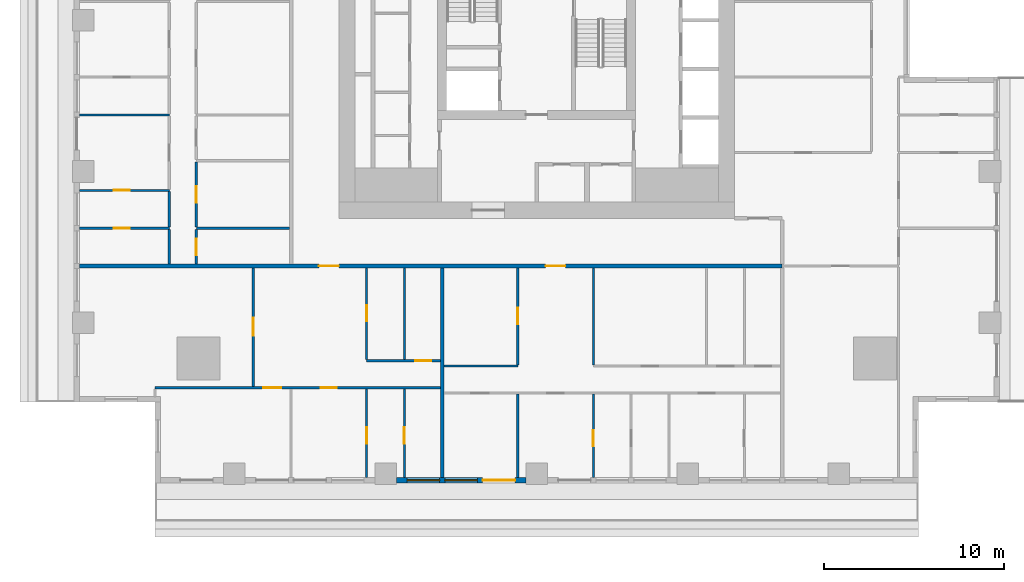
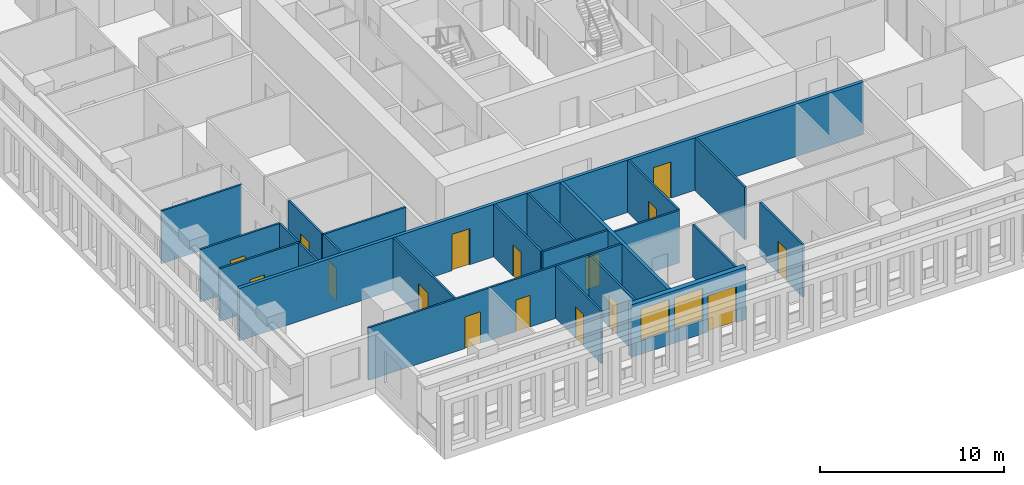
# One storey, part 2 of 16: 23 walls, 16 doors, 2 windows, 18 openings.
"""IFC4 building model written with IfcOpenShell, lengths in metres."""

import ifcopenshell
import ifcopenshell.guid

model = None  # the IFC model being written
_history = None  # IfcOwnerHistory: only IFC2X3 demands one
_inside = {}  # id of a spatial element -> (the spatial element, [elements in it])
_under = {}  # id of a project, library or spatial element -> (it, [spatial elements below it])
_declared = {}  # id of a project -> (the project, [libraries it declares])
_typed = {}  # id of a type object -> (the type object, [elements of that type])
_made_of = {}  # id of a material, layer set ... -> (it, [elements and type objects made of it])


def new_model(schema):
    """Start an empty IFC model of exactly this schema.

    Asked for "IFC4X3", IfcOpenShell would pick the latest addendum, in which some entities
    have other attributes; the version numbers below select the first issue.
    IFC2X3 requires an IfcOwnerHistory on every rooted entity: one is made here for all.
    """
    global model, _history
    if schema == "IFC4X3":
        model = ifcopenshell.file(schema_version=(4, 3, 0, 0))
    else:
        model = ifcopenshell.file(schema=schema)
    _inside.clear()
    _under.clear()
    _declared.clear()
    _typed.clear()
    _made_of.clear()
    _history = None
    if model.schema == "IFC2X3":
        org = make("IfcOrganization", Name="unknown")
        user = make(
            "IfcPersonAndOrganization",
            ThePerson=make("IfcPerson", FamilyName="unknown"),
            TheOrganization=org,
        )
        app = make(
            "IfcApplication",
            ApplicationDeveloper=org,
            Version="unknown",
            ApplicationFullName="unknown",
            ApplicationIdentifier="unknown",
        )
        _history = make(
            "IfcOwnerHistory",
            OwningUser=user,
            OwningApplication=app,
            ChangeAction="ADDED",
            CreationDate=0,
        )
    return model


def make(cls, **values):
    """One entity of the class cls with the attributes given. An attribute that is None is left unset."""
    return model.create_entity(
        cls, **{name: value for name, value in values.items() if value is not None}
    )


def rooted(cls, **values):
    """An entity with a GlobalId (a new one), such as an element, a storey or a relation."""
    return make(cls, GlobalId=ifcopenshell.guid.new(), OwnerHistory=_history, **values)


def si_unit(unit_type, name, prefix=None):
    """IfcSIUnit, for example si_unit("LENGTHUNIT", "METRE", prefix="MILLI")."""
    return make("IfcSIUnit", UnitType=unit_type, Prefix=prefix, Name=name)


def assignment(units):
    """IfcUnitAssignment: the units of a project."""
    return None if units is None else make("IfcUnitAssignment", Units=units)


def point(xyz):
    """IfcCartesianPoint."""
    return None if xyz is None else make("IfcCartesianPoint", Coordinates=xyz)


def direction(xyz):
    """IfcDirection."""
    return None if xyz is None else make("IfcDirection", DirectionRatios=xyz)


def frame(location, z_axis=None, x_axis=None):
    """IfcAxis2Placement3D, a coordinate frame: its origin and axes. An axis left out is left unset."""
    return make(
        "IfcAxis2Placement3D",
        Location=point(location),
        Axis=direction(z_axis),
        RefDirection=direction(x_axis),
    )


def frame_2d(location, x_axis=None):
    """IfcAxis2Placement2D, a coordinate frame in the plane: its origin and x axis."""
    return make(
        "IfcAxis2Placement2D", Location=point(location), RefDirection=direction(x_axis)
    )


def origin():
    """The frame at (0, 0, 0) with its axes left unset."""
    return frame((0.0, 0.0, 0.0))


def place(relative_to, where):
    """IfcLocalPlacement: puts the frame where relative to a parent placement (None: the world)."""
    return make(
        "IfcLocalPlacement", PlacementRelTo=relative_to, RelativePlacement=where
    )


def context(
    kind, dimensions, precision=None, world=None, true_north=None, identifier=None
):
    """IfcGeometricRepresentationContext, for example the 3D "Model" context."""
    return make(
        "IfcGeometricRepresentationContext",
        ContextIdentifier=identifier,
        ContextType=kind,
        CoordinateSpaceDimension=dimensions,
        Precision=precision,
        WorldCoordinateSystem=world,
        TrueNorth=true_north,
    )


def subcontext(parent, identifier, kind, view, scale=None):
    """IfcGeometricRepresentationSubContext, for example "Body" below "Model"."""
    return make(
        "IfcGeometricRepresentationSubContext",
        ContextIdentifier=identifier,
        ContextType=kind,
        ParentContext=parent,
        TargetScale=scale,
        TargetView=view,
    )


def project(units=None, contexts=None):
    """IfcProject with its units and contexts."""
    return rooted(
        "IfcProject",
        Name="project",
        RepresentationContexts=contexts,
        UnitsInContext=assignment(units),
    )


def spatial(cls, under=None, at=None, **own):
    """A site, building, storey or space (cls), placed at a placement, below another one or the project."""
    s = rooted(cls, ObjectPlacement=at, **own)
    if under is not None:
        _under.setdefault(under.id(), (under, []))[1].append(s)
    return s


def profile(cls, at=None, kind="AREA", **sizes):
    """A parametric profile (cls). Its sizes go by their IFC names, for example OverallWidth=200.0."""
    return make(cls, ProfileType=kind, Position=at, **sizes)


def rectangle(**sizes):
    """IfcRectangleProfileDef."""
    return profile("IfcRectangleProfileDef", **sizes)


def extrude(swept, where, along, depth):
    """IfcExtrudedAreaSolid: the profile swept, set in the frame where, extruded along a direction by depth."""
    return make(
        "IfcExtrudedAreaSolid",
        SweptArea=swept,
        Position=where,
        ExtrudedDirection=direction(along),
        Depth=depth,
    )


def shape(context_of_items, identifier, shape_type, items):
    """IfcShapeRepresentation: the items that make up one representation, for example the "Body"."""
    return make(
        "IfcShapeRepresentation",
        ContextOfItems=context_of_items,
        RepresentationIdentifier=identifier,
        RepresentationType=shape_type,
        Items=items,
    )


def material(Name=None, Category=None):
    """IfcMaterial."""
    return make("IfcMaterial", Name=Name, Category=Category)


def layer(
    of_material, thickness, ventilated=None, Name=None, Category=None, Priority=None
):
    """IfcMaterialLayer: one layer of a wall or slab, of a material (None: an air gap)."""
    return make(
        "IfcMaterialLayer",
        Material=of_material,
        LayerThickness=thickness,
        IsVentilated=ventilated,
        Name=Name,
        Category=Category,
        Priority=Priority,
    )


def layer_set(layers, Name=None):
    """IfcMaterialLayerSet."""
    return make("IfcMaterialLayerSet", MaterialLayers=layers, LayerSetName=Name)


def made_of(thing, what):
    """Note that an element or type object is made of a material, layer set ...; save() writes the relation."""
    if what is not None:
        _made_of.setdefault(what.id(), (what, []))[1].append(thing)
    return thing


def type_object(cls, material=None, **own):
    """A type object (cls), such as IfcWallType, which elements share."""
    return made_of(rooted(cls, **own), material)


def element(
    cls,
    number,
    at=None,
    inside=None,
    cuts=None,
    type_object=None,
    material=None,
    context=None,
    identifier="Body",
    shape_type=None,
    held_by="IfcProductDefinitionShape",
    body=None,
    shapes=None,
    **own,
):
    """One element of the class cls, such as IfcWall. Its Tag is "e" and its number.

    at: its placement. inside: the storey or other place that contains it. cuts: it is an
    opening in that element (IfcRelVoidsElement). A single representation is given by context,
    identifier, shape_type and body (its items); several are given by shapes. held_by: the class
    of the entity that holds the representations. save() writes the other relations.
    """
    e = rooted(cls, Tag="e%d" % number, ObjectPlacement=at, **own)
    if body is not None:
        shapes = [shape(context, identifier, shape_type, body)]
    if shapes is not None:
        e.Representation = make(held_by, Representations=shapes)
    if inside is not None:
        _inside.setdefault(inside.id(), (inside, []))[1].append(e)
    if cuts is not None:
        rooted(
            "IfcRelVoidsElement", RelatingBuildingElement=cuts, RelatedOpeningElement=e
        )
    if type_object is not None:
        _typed.setdefault(type_object.id(), (type_object, []))[1].append(e)
    return made_of(e, material)


def fill(opening, filler):
    """IfcRelFillsElement: the door or window that sits in an opening."""
    return rooted(
        "IfcRelFillsElement",
        RelatingOpeningElement=opening,
        RelatedBuildingElement=filler,
    )


def aggregate(whole, parts):
    """IfcRelAggregates: a whole, such as a stair, and the parts it consists of."""
    return rooted("IfcRelAggregates", RelatingObject=whole, RelatedObjects=parts)


def save(model, path):
    """Write the relations noted so far, then the file.

    IfcRelAggregates (storeys below a building ...), IfcRelContainedInSpatialStructure (elements
    in a storey), IfcRelDefinesByType, IfcRelAssociatesMaterial and IfcRelDeclares: one each for
    every whole, place, type object, material and project.
    """
    for whole, parts in _under.values():
        aggregate(whole, parts)
    for where, things in _inside.values():
        rooted(
            "IfcRelContainedInSpatialStructure",
            RelatedElements=things,
            RelatingStructure=where,
        )
    for kind, things in _typed.values():
        rooted("IfcRelDefinesByType", RelatedObjects=things, RelatingType=kind)
    for what, things in _made_of.values():
        rooted("IfcRelAssociatesMaterial", RelatedObjects=things, RelatingMaterial=what)
    for by, libraries in _declared.values():
        rooted("IfcRelDeclares", RelatingContext=by, RelatedDefinitions=libraries)
    model.write(path)


model = new_model("IFC4")

# Units and contexts
model_context = context("Model", 3, precision=1e-05, world=origin(), true_north=direction((0.0, 1.0)))
body_context = subcontext(model_context, "Body", "Model", "MODEL_VIEW")
ifc_project = project(units=[si_unit("LENGTHUNIT", "METRE"), si_unit("AREAUNIT", "SQUARE_METRE"), si_unit("VOLUMEUNIT", "CUBIC_METRE"), si_unit("PLANEANGLEUNIT", "RADIAN"), si_unit("MASSUNIT", "GRAM", prefix="KILO")], contexts=[model_context])

# Site, building, storey
site_placement = place(None, origin())
site = spatial("IfcSite", under=ifc_project, at=site_placement, CompositionType="ELEMENT")
building_placement = place(site_placement, origin())
building = spatial("IfcBuilding", under=site, at=building_placement, Name="Khepri Terraces", CompositionType="ELEMENT")
storey_placement = place(building_placement, frame((0.0, 0.0, 192.300048828125)))
storey = spatial("IfcBuildingStorey", under=building, at=storey_placement, Name="L45", CompositionType="ELEMENT", Elevation=192.300048828125)

# Wall
ifc_material_1 = material(Name="Fire-rated gypsum plasterboard partition, mineral wool")
ifc_layer_1 = layer(ifc_material_1, 0.199951171875, Name="Fire-rated gypsum plasterboard partition, mineral wool")
ifc_layer_set_1 = layer_set([ifc_layer_1], Name="Fire-rated gypsum plasterboard partition, mineral wool")
wall_type_1 = type_object("IfcWallType", Name="WL-CORR-200", PredefinedType="PARTITIONING", material=ifc_layer_set_1)
wall_1_placement = place(storey_placement, frame((-5.25, -25.419921875, 0.0), z_axis=(0.0, 0.0, 1.0), x_axis=(0.0, 1.0, 0.0)))
element("IfcWall", 1, at=wall_1_placement, inside=storey, type_object=wall_type_1, Name="Partition P-004 L45", PredefinedType="PARTITIONING", context=body_context, shape_type="SweptSolid", body=[
    extrude(rectangle(XDim=11.669921875, YDim=0.199951171875, at=frame_2d((5.8349609375, 0.0))), origin(), (0.0, 0.0, 1.0), 3.47998046875),
])

# Wall, openings, doors
wall_2_placement = place(storey_placement, frame((-25.419921875, -13.64990234375, 0.0), z_axis=(0.0, 0.0, 1.0), x_axis=(1.0, 0.0, 0.0)))
wall_2 = element("IfcWall", 2, at=wall_2_placement, inside=storey, type_object=wall_type_1, Name="Partition P-025 L45", PredefinedType="PARTITIONING", context=body_context, shape_type="SweptSolid", body=[
    extrude(rectangle(XDim=39.06982421875, YDim=0.199951171875, at=frame_2d((19.534912109375, 0.0))), origin(), (0.0, 0.0, 1.0), 3.47998046875),
])
opening_1_placement = place(wall_2_placement, frame((13.320068359375, 0.0, 0.0)))
opening_1 = element("IfcOpeningElement", 3, at=opening_1_placement, cuts=wall_2, Name="Opening D1", PredefinedType="OPENING", context=body_context, shape_type="SweptSolid", body=[
    extrude(rectangle(XDim=1.10009765625, YDim=2.39990234375, at=frame_2d((0.550048828125, 1.199951171875))), frame((0.0, 0.10986328125, 0.0), z_axis=(0.0, -1.0, 0.0), x_axis=(1.0, 0.0, 0.0)), (0.0, 0.0, 1.0), 0.219970703125),
])
opening_2_placement = place(wall_2_placement, frame((25.919921875, 0.0, 0.0)))
opening_2 = element("IfcOpeningElement", 4, at=opening_2_placement, cuts=wall_2, Name="Opening D1", PredefinedType="OPENING", context=body_context, shape_type="SweptSolid", body=[
    extrude(rectangle(XDim=1.10009765625, YDim=2.39990234375, at=frame_2d((0.550048828125, 1.199951171875))), frame((0.0, 0.10986328125, 0.0), z_axis=(0.0, -1.0, 0.0), x_axis=(1.0, 0.0, 0.0)), (0.0, 0.0, 1.0), 0.219970703125),
])
ifc_material_2 = material(Name="Solid-core timber door leaf, flat entrance door", Category="wood")
door_type_1 = type_object("IfcDoorType", Name="DR-ENT-1100", OperationType="NOTDEFINED", PredefinedType="DOOR", material=ifc_material_2)
door_1_placement = place(opening_1_placement, frame((1.10009765625, 0.0, 0.0), z_axis=(0.0, 0.0, 1.0), x_axis=(-1.0, 0.0, 0.0)))
door_1 = element("IfcDoor", 5, at=door_1_placement, inside=storey, type_object=door_type_1, Name="Flat A1 entrance door", OperationType="SINGLE_SWING_RIGHT", OverallHeight=2.39990234375, OverallWidth=1.10009765625, PredefinedType="DOOR", context=body_context, shape_type="SweptSolid", body=[
    extrude(rectangle(XDim=1.10009765625, YDim=2.39990234375, at=frame_2d((0.550048828125, 1.199951171875))), frame((0.0, 0.02490234375, 0.0), z_axis=(0.0, -1.0, 0.0), x_axis=(1.0, 0.0, 0.0)), (0.0, 0.0, 1.0), 0.050048828125),
])
fill(opening_1, door_1)
door_2_placement = place(opening_2_placement, frame((1.10009765625, 0.0, 0.0), z_axis=(0.0, 0.0, 1.0), x_axis=(-1.0, 0.0, 0.0)))
door_2 = element("IfcDoor", 6, at=door_2_placement, inside=storey, type_object=door_type_1, Name="Flat A2 entrance door", OperationType="SINGLE_SWING_LEFT", OverallHeight=2.39990234375, OverallWidth=1.10009765625, PredefinedType="DOOR", context=body_context, shape_type="SweptSolid", body=[
    extrude(rectangle(XDim=1.10009765625, YDim=2.39990234375, at=frame_2d((0.550048828125, 1.199951171875))), frame((0.0, 0.02490234375, 0.0), z_axis=(0.0, -1.0, 0.0), x_axis=(1.0, 0.0, 0.0)), (0.0, 0.0, 1.0), 0.050048828125),
])
fill(opening_2, door_2)

# Wall, openings, door, windows
ifc_material_3 = material(Name="Precast concrete C50/60 warm stone", Category="masonry")
ifc_layer_2 = layer(ifc_material_3, 0.300048828125, Name="Precast concrete C50/60 warm stone", Category="masonry")
ifc_layer_set_2 = layer_set([ifc_layer_2], Name="Precast concrete C50/60 warm stone")
wall_type_2 = type_object("IfcWallType", Name="WL-EXT-PRECAST-300", PredefinedType="STANDARD", material=ifc_layer_set_2)
wall_3_placement = place(storey_placement, frame((-7.800048828125, -25.570068359375, 0.0), z_axis=(0.0, 0.0, 1.0), x_axis=(1.0, 0.0, 0.0)))
wall_3 = element("IfcWall", 7, at=wall_3_placement, inside=storey, type_object=wall_type_2, Name="External wall L45 S", PredefinedType="STANDARD", context=body_context, shape_type="SweptSolid", body=[
    extrude(rectangle(XDim=7.199951171875, YDim=0.300048828125, at=frame_2d((3.60009765625, 0.0))), origin(), (0.0, 0.0, 1.0), 3.47998046875),
])
opening_3_placement = place(wall_3_placement, frame((0.60009765625, 0.0, 0.89990234375)))
opening_3 = element("IfcOpeningElement", 8, at=opening_3_placement, cuts=wall_3, Name="Opening W1", PredefinedType="OPENING", context=body_context, shape_type="SweptSolid", body=[
    extrude(rectangle(XDim=1.800048828125, YDim=2.10009765625, at=frame_2d((0.89990234375, 1.050048828125))), frame((0.0, 0.16015625, 0.0), z_axis=(0.0, -1.0, 0.0), x_axis=(1.0, 0.0, 0.0)), (0.0, 0.0, 1.0), 0.320068359375),
])
opening_4_placement = place(wall_3_placement, frame((2.699951171875, 0.0, 0.89990234375)))
opening_4 = element("IfcOpeningElement", 9, at=opening_4_placement, cuts=wall_3, Name="Opening W1", PredefinedType="OPENING", context=body_context, shape_type="SweptSolid", body=[
    extrude(rectangle(XDim=1.800048828125, YDim=2.10009765625, at=frame_2d((0.89990234375, 1.050048828125))), frame((0.0, 0.16015625, 0.0), z_axis=(0.0, -1.0, 0.0), x_axis=(1.0, 0.0, 0.0)), (0.0, 0.0, 1.0), 0.320068359375),
])
opening_5_placement = place(wall_3_placement, frame((4.800048828125, 0.0, 0.0)))
opening_5 = element("IfcOpeningElement", 10, at=opening_5_placement, cuts=wall_3, Name="Opening ED-L45-19", PredefinedType="OPENING", context=body_context, shape_type="SweptSolid", body=[
    extrude(rectangle(XDim=1.800048828125, YDim=2.39990234375, at=frame_2d((0.89990234375, 1.199951171875))), frame((0.0, 0.16015625, 0.0), z_axis=(0.0, -1.0, 0.0), x_axis=(1.0, 0.0, 0.0)), (0.0, 0.0, 1.0), 0.320068359375),
])
ifc_material_4 = material(Name="Anodised aluminium bronze glazed door", Category="aluminium")
door_type_2 = type_object("IfcDoorType", Name="DR-BAL-SLIDE-1800x2400", OperationType="NOTDEFINED", PredefinedType="DOOR", material=ifc_material_4)
door_3_placement = place(opening_5_placement, origin())
door_3 = element("IfcDoor", 11, at=door_3_placement, inside=storey, type_object=door_type_2, Name="Balcony door L45 S", OperationType="SLIDING_TO_RIGHT", OverallHeight=2.39990234375, OverallWidth=1.800048828125, PredefinedType="DOOR", context=body_context, shape_type="SweptSolid", body=[
    extrude(rectangle(XDim=1.800048828125, YDim=2.39990234375, at=frame_2d((0.89990234375, 1.199951171875))), frame((0.0, 0.02490234375, 0.0), z_axis=(0.0, -1.0, 0.0), x_axis=(1.0, 0.0, 0.0)), (0.0, 0.0, 1.0), 0.050048828125),
])
fill(opening_5, door_3)
ifc_material_5 = material(Name="Clear glass", Category="glass")
window_type = type_object("IfcWindowType", Name="WIN-RES-1800x2100", PartitioningType="SINGLE_PANEL", PredefinedType="WINDOW", material=ifc_material_5)
window_1_placement = place(opening_3_placement, origin())
window_1 = element("IfcWindow", 12, at=window_1_placement, inside=storey, type_object=window_type, Name="Window L45 S", OverallHeight=2.10009765625, OverallWidth=1.800048828125, PartitioningType="SINGLE_PANEL", PredefinedType="WINDOW", context=body_context, shape_type="SweptSolid", body=[
    extrude(rectangle(XDim=1.800048828125, YDim=2.10009765625, at=frame_2d((0.89990234375, 1.050048828125))), frame((0.0, 0.030029296875, 0.0), z_axis=(0.0, -1.0, 0.0), x_axis=(1.0, 0.0, 0.0)), (0.0, 0.0, 1.0), 0.06005859375),
])
fill(opening_3, window_1)
window_2_placement = place(opening_4_placement, origin())
window_2 = element("IfcWindow", 13, at=window_2_placement, inside=storey, type_object=window_type, Name="Window L45 S", OverallHeight=2.10009765625, OverallWidth=1.800048828125, PartitioningType="SINGLE_PANEL", PredefinedType="WINDOW", context=body_context, shape_type="SweptSolid", body=[
    extrude(rectangle(XDim=1.800048828125, YDim=2.10009765625, at=frame_2d((0.89990234375, 1.050048828125))), frame((0.0, 0.030029296875, 0.0), z_axis=(0.0, -1.0, 0.0), x_axis=(1.0, 0.0, 0.0)), (0.0, 0.0, 1.0), 0.06005859375),
])
fill(opening_4, window_2)

# Wall, opening, door
ifc_material_6 = material(Name="Gypsum plasterboard partition")
ifc_layer_3 = layer(ifc_material_6, 0.1201171875, Name="Gypsum plasterboard partition")
ifc_layer_set_3 = layer_set([ifc_layer_3], Name="Gypsum plasterboard partition")
wall_type_3 = type_object("IfcWallType", Name="WL-PART-120", PredefinedType="PARTITIONING", material=ifc_layer_set_3)
wall_4_placement = place(storey_placement, frame((-9.449951171875, -25.419921875, 0.0), z_axis=(0.0, 0.0, 1.0), x_axis=(0.0, 1.0, 0.0)))
wall_4 = element("IfcWall", 14, at=wall_4_placement, inside=storey, type_object=wall_type_3, Name="Partition P-002 L45", PredefinedType="PARTITIONING", context=body_context, shape_type="SweptSolid", body=[
    extrude(rectangle(XDim=4.93994140625, YDim=0.1201171875, at=frame_2d((2.469970703125, 0.0))), origin(), (0.0, 0.0, 1.0), 3.47998046875),
])
opening_6_placement = place(wall_4_placement, frame((1.89990234375, 0.0, 0.0)))
opening_6 = element("IfcOpeningElement", 15, at=opening_6_placement, cuts=wall_4, Name="Opening D3", PredefinedType="OPENING", context=body_context, shape_type="SweptSolid", body=[
    extrude(rectangle(XDim=0.89990234375, YDim=2.10009765625, at=frame_2d((0.449951171875, 1.050048828125))), frame((0.0, 0.070068359375, 0.0), z_axis=(0.0, -1.0, 0.0), x_axis=(1.0, 0.0, 0.0)), (0.0, 0.0, 1.0), 0.14013671875),
])
ifc_material_7 = material(Name="Timber door leaf", Category="wood")
door_type_3 = type_object("IfcDoorType", Name="DR-INT-900", OperationType="NOTDEFINED", PredefinedType="DOOR", material=ifc_material_7)
door_4_placement = place(opening_6_placement, frame((0.89990234375, 0.0, 0.0), z_axis=(0.0, 0.0, 1.0), x_axis=(-1.0, 0.0, 0.0)))
door_4 = element("IfcDoor", 16, at=door_4_placement, inside=storey, type_object=door_type_3, Name="Door Dressing Room", OperationType="SINGLE_SWING_RIGHT", OverallHeight=2.10009765625, OverallWidth=0.89990234375, PredefinedType="DOOR", context=body_context, shape_type="SweptSolid", body=[
    extrude(rectangle(XDim=0.89990234375, YDim=2.10009765625, at=frame_2d((0.449951171875, 1.050048828125))), frame((0.0, 0.02490234375, 0.0), z_axis=(0.0, -1.0, 0.0), x_axis=(1.0, 0.0, 0.0)), (0.0, 0.0, 1.0), 0.050048828125),
])
fill(opening_6, door_4)

wall_5_placement = place(storey_placement, frame((-7.35009765625, -25.419921875, 0.0), z_axis=(0.0, 0.0, 1.0), x_axis=(0.0, 1.0, 0.0)))
wall_5 = element("IfcWall", 17, at=wall_5_placement, inside=storey, type_object=wall_type_3, Name="Partition P-003 L45", PredefinedType="PARTITIONING", context=body_context, shape_type="SweptSolid", body=[
    extrude(rectangle(XDim=4.93994140625, YDim=0.1201171875, at=frame_2d((2.469970703125, 0.0))), origin(), (0.0, 0.0, 1.0), 3.47998046875),
])
opening_7_placement = place(wall_5_placement, frame((1.89990234375, 0.0, 0.0)))
opening_7 = element("IfcOpeningElement", 18, at=opening_7_placement, cuts=wall_5, Name="Opening D4", PredefinedType="OPENING", context=body_context, shape_type="SweptSolid", body=[
    extrude(rectangle(XDim=0.89990234375, YDim=2.10009765625, at=frame_2d((0.449951171875, 1.050048828125))), frame((0.0, 0.070068359375, 0.0), z_axis=(0.0, -1.0, 0.0), x_axis=(1.0, 0.0, 0.0)), (0.0, 0.0, 1.0), 0.14013671875),
])
ifc_material_8 = material(Name="Timber door leaf, moisture resistant", Category="wood")
door_type_4 = type_object("IfcDoorType", Name="DR-WET-900", OperationType="NOTDEFINED", PredefinedType="DOOR", material=ifc_material_8)
door_5_placement = place(opening_7_placement, frame((0.89990234375, 0.0, 0.0), z_axis=(0.0, 0.0, 1.0), x_axis=(-1.0, 0.0, 0.0)))
door_5 = element("IfcDoor", 19, at=door_5_placement, inside=storey, type_object=door_type_4, Name="Door Bathroom", OperationType="SINGLE_SWING_RIGHT", OverallHeight=2.10009765625, OverallWidth=0.89990234375, PredefinedType="DOOR", context=body_context, shape_type="SweptSolid", body=[
    extrude(rectangle(XDim=0.89990234375, YDim=2.10009765625, at=frame_2d((0.449951171875, 1.050048828125))), frame((0.0, 0.02490234375, 0.0), z_axis=(0.0, -1.0, 0.0), x_axis=(1.0, 0.0, 0.0)), (0.0, 0.0, 1.0), 0.050048828125),
])
fill(opening_7, door_5)

# Wall
wall_6_placement = place(storey_placement, frame((-1.050048828125, -25.419921875, 0.0), z_axis=(0.0, 0.0, 1.0), x_axis=(0.0, 1.0, 0.0)))
element("IfcWall", 20, at=wall_6_placement, inside=storey, type_object=wall_type_3, Name="Partition P-005 L45", PredefinedType="PARTITIONING", context=body_context, shape_type="SweptSolid", body=[
    extrude(rectangle(XDim=4.639892578125, YDim=0.1201171875, at=frame_2d((2.31982421875, 0.0))), origin(), (0.0, 0.0, 1.0), 3.47998046875),
])

# Wall, opening, door
wall_7_placement = place(storey_placement, frame((3.14990234375, -25.419921875, 0.0), z_axis=(0.0, 0.0, 1.0), x_axis=(0.0, 1.0, 0.0)))
wall_7 = element("IfcWall", 21, at=wall_7_placement, inside=storey, type_object=wall_type_3, Name="Partition P-006 L45", PredefinedType="PARTITIONING", context=body_context, shape_type="SweptSolid", body=[
    extrude(rectangle(XDim=4.639892578125, YDim=0.1201171875, at=frame_2d((2.31982421875, 0.0))), origin(), (0.0, 0.0, 1.0), 3.47998046875),
])
opening_8_placement = place(wall_7_placement, frame((1.75, 0.0, 0.0)))
opening_8 = element("IfcOpeningElement", 22, at=opening_8_placement, cuts=wall_7, Name="Opening D3", PredefinedType="OPENING", context=body_context, shape_type="SweptSolid", body=[
    extrude(rectangle(XDim=0.89990234375, YDim=2.10009765625, at=frame_2d((0.449951171875, 1.050048828125))), frame((0.0, 0.070068359375, 0.0), z_axis=(0.0, -1.0, 0.0), x_axis=(1.0, 0.0, 0.0)), (0.0, 0.0, 1.0), 0.14013671875),
])
door_6_placement = place(opening_8_placement, frame((0.89990234375, 0.0, 0.0), z_axis=(0.0, 0.0, 1.0), x_axis=(-1.0, 0.0, 0.0)))
door_6 = element("IfcDoor", 23, at=door_6_placement, inside=storey, type_object=door_type_3, Name="Door Dressing Room", OperationType="SINGLE_SWING_RIGHT", OverallHeight=2.10009765625, OverallWidth=0.89990234375, PredefinedType="DOOR", context=body_context, shape_type="SweptSolid", body=[
    extrude(rectangle(XDim=0.89990234375, YDim=2.10009765625, at=frame_2d((0.449951171875, 1.050048828125))), frame((0.0, 0.02490234375, 0.0), z_axis=(0.0, -1.0, 0.0), x_axis=(1.0, 0.0, 0.0)), (0.0, 0.0, 1.0), 0.050048828125),
])
fill(opening_8, door_6)

# Wall, openings, doors
wall_8_placement = place(storey_placement, frame((-21.218994140625, -20.419921875, 0.0), z_axis=(0.0, 0.0, 1.0), x_axis=(1.0, 0.0, 0.0)))
wall_8 = element("IfcWall", 24, at=wall_8_placement, inside=storey, type_object=wall_type_3, Name="Partition P-014 L45", PredefinedType="PARTITIONING", context=body_context, shape_type="SweptSolid", body=[
    extrude(rectangle(XDim=15.868896484375, YDim=0.1201171875, at=frame_2d((7.9345703125, 0.0))), origin(), (0.0, 0.0, 1.0), 3.47998046875),
])
opening_9_placement = place(wall_8_placement, frame((6.01904296875, 0.0, 0.0)))
opening_9 = element("IfcOpeningElement", 25, at=opening_9_placement, cuts=wall_8, Name="Opening D2", PredefinedType="OPENING", context=body_context, shape_type="SweptSolid", body=[
    extrude(rectangle(XDim=1.0, YDim=2.10009765625, at=frame_2d((0.5, 1.050048828125))), frame((0.0, 0.070068359375, 0.0), z_axis=(0.0, -1.0, 0.0), x_axis=(1.0, 0.0, 0.0)), (0.0, 0.0, 1.0), 0.14013671875),
])
opening_10_placement = place(wall_8_placement, frame((9.218994140625, 0.0, 0.0)))
opening_10 = element("IfcOpeningElement", 26, at=opening_10_placement, cuts=wall_8, Name="Opening D3", PredefinedType="OPENING", context=body_context, shape_type="SweptSolid", body=[
    extrude(rectangle(XDim=0.89990234375, YDim=2.10009765625, at=frame_2d((0.449951171875, 1.050048828125))), frame((0.0, 0.070068359375, 0.0), z_axis=(0.0, -1.0, 0.0), x_axis=(1.0, 0.0, 0.0)), (0.0, 0.0, 1.0), 0.14013671875),
])
ifc_material_9 = material(Name="Timber door leaf, living room door", Category="wood")
door_type_5 = type_object("IfcDoorType", Name="DR-INT-1000", OperationType="NOTDEFINED", PredefinedType="DOOR", material=ifc_material_9)
door_7_placement = place(opening_9_placement, frame((1.0, 0.0, 0.0), z_axis=(0.0, 0.0, 1.0), x_axis=(-1.0, 0.0, 0.0)))
door_7 = element("IfcDoor", 27, at=door_7_placement, inside=storey, type_object=door_type_5, Name="Door Living Room", OperationType="SINGLE_SWING_RIGHT", OverallHeight=2.10009765625, OverallWidth=1.0, PredefinedType="DOOR", context=body_context, shape_type="SweptSolid", body=[
    extrude(rectangle(XDim=1.0, YDim=2.10009765625, at=frame_2d((0.5, 1.050048828125))), frame((0.0, 0.02490234375, 0.0), z_axis=(0.0, -1.0, 0.0), x_axis=(1.0, 0.0, 0.0)), (0.0, 0.0, 1.0), 0.050048828125),
])
fill(opening_9, door_7)
door_8_placement = place(opening_10_placement, frame((0.89990234375, 0.0, 0.0), z_axis=(0.0, 0.0, 1.0), x_axis=(-1.0, 0.0, 0.0)))
door_8 = element("IfcDoor", 28, at=door_8_placement, inside=storey, type_object=door_type_3, Name="Door Master Bedroom", OperationType="SINGLE_SWING_LEFT", OverallHeight=2.10009765625, OverallWidth=0.89990234375, PredefinedType="DOOR", context=body_context, shape_type="SweptSolid", body=[
    extrude(rectangle(XDim=0.89990234375, YDim=2.10009765625, at=frame_2d((0.449951171875, 1.050048828125))), frame((0.0, 0.02490234375, 0.0), z_axis=(0.0, -1.0, 0.0), x_axis=(1.0, 0.0, 0.0)), (0.0, 0.0, 1.0), 0.050048828125),
])
fill(opening_10, door_8)

# Wall, opening, door
wall_9_placement = place(storey_placement, frame((-15.75, -20.360107421875, 0.0), z_axis=(0.0, 0.0, 1.0), x_axis=(0.0, 1.0, 0.0)))
wall_9 = element("IfcWall", 29, at=wall_9_placement, inside=storey, type_object=wall_type_3, Name="Partition P-015 L45", PredefinedType="PARTITIONING", context=body_context, shape_type="SweptSolid", body=[
    extrude(rectangle(XDim=6.610107421875, YDim=0.1201171875, at=frame_2d((3.30517578125, 0.0))), origin(), (0.0, 0.0, 1.0), 3.47998046875),
])
opening_11_placement = place(wall_9_placement, frame((2.824951171875, 0.0, 0.0)))
opening_11 = element("IfcOpeningElement", 30, at=opening_11_placement, cuts=wall_9, Name="Opening D2", PredefinedType="OPENING", context=body_context, shape_type="SweptSolid", body=[
    extrude(rectangle(XDim=1.0, YDim=2.10009765625, at=frame_2d((0.5, 1.050048828125))), frame((0.0, 0.070068359375, 0.0), z_axis=(0.0, -1.0, 0.0), x_axis=(1.0, 0.0, 0.0)), (0.0, 0.0, 1.0), 0.14013671875),
])
door_9_placement = place(opening_11_placement, origin())
door_9 = element("IfcDoor", 31, at=door_9_placement, inside=storey, type_object=door_type_5, Name="Door Family Room", OperationType="SINGLE_SWING_RIGHT", OverallHeight=2.10009765625, OverallWidth=1.0, PredefinedType="DOOR", context=body_context, shape_type="SweptSolid", body=[
    extrude(rectangle(XDim=1.0, YDim=2.10009765625, at=frame_2d((0.5, 1.050048828125))), frame((0.0, 0.02490234375, 0.0), z_axis=(0.0, -1.0, 0.0), x_axis=(1.0, 0.0, 0.0)), (0.0, 0.0, 1.0), 0.050048828125),
])
fill(opening_11, door_9)

# Wall
wall_10_placement = place(storey_placement, frame((-5.14990234375, -19.219970703125, 0.0), z_axis=(0.0, 0.0, 1.0), x_axis=(1.0, 0.0, 0.0)))
element("IfcWall", 32, at=wall_10_placement, inside=storey, type_object=wall_type_3, Name="Partition P-016 L45", PredefinedType="PARTITIONING", context=body_context, shape_type="SweptSolid", body=[
    extrude(rectangle(XDim=4.099853515625, YDim=0.1201171875, at=frame_2d((2.0498046875, 0.0))), origin(), (0.0, 0.0, 1.0), 3.47998046875),
])

# Wall, opening, door
wall_11_placement = place(storey_placement, frame((-1.050048828125, -19.159912109375, 0.0), z_axis=(0.0, 0.0, 1.0), x_axis=(0.0, 1.0, 0.0)))
wall_11 = element("IfcWall", 33, at=wall_11_placement, inside=storey, type_object=wall_type_3, Name="Partition P-018 L45", PredefinedType="PARTITIONING", context=body_context, shape_type="SweptSolid", body=[
    extrude(rectangle(XDim=5.409912109375, YDim=0.1201171875, at=frame_2d((2.705078125, 0.0))), origin(), (0.0, 0.0, 1.0), 3.47998046875),
])
opening_12_placement = place(wall_11_placement, frame((2.27490234375, 0.0, 0.0)))
opening_12 = element("IfcOpeningElement", 34, at=opening_12_placement, cuts=wall_11, Name="Opening D4", PredefinedType="OPENING", context=body_context, shape_type="SweptSolid", body=[
    extrude(rectangle(XDim=0.89990234375, YDim=2.10009765625, at=frame_2d((0.449951171875, 1.050048828125))), frame((0.0, 0.070068359375, 0.0), z_axis=(0.0, -1.0, 0.0), x_axis=(1.0, 0.0, 0.0)), (0.0, 0.0, 1.0), 0.14013671875),
])
door_10_placement = place(opening_12_placement, origin())
door_10 = element("IfcDoor", 35, at=door_10_placement, inside=storey, type_object=door_type_4, Name="Door Guest Bathroom", OperationType="SINGLE_SWING_RIGHT", OverallHeight=2.10009765625, OverallWidth=0.89990234375, PredefinedType="DOOR", context=body_context, shape_type="SweptSolid", body=[
    extrude(rectangle(XDim=0.89990234375, YDim=2.10009765625, at=frame_2d((0.449951171875, 1.050048828125))), frame((0.0, 0.02490234375, 0.0), z_axis=(0.0, -1.0, 0.0), x_axis=(1.0, 0.0, 0.0)), (0.0, 0.0, 1.0), 0.050048828125),
])
fill(opening_12, door_10)

# Wall
wall_12_placement = place(storey_placement, frame((3.14990234375, -19.159912109375, 0.0), z_axis=(0.0, 0.0, 1.0), x_axis=(0.0, 1.0, 0.0)))
element("IfcWall", 36, at=wall_12_placement, inside=storey, type_object=wall_type_3, Name="Partition P-019 L45", PredefinedType="PARTITIONING", context=body_context, shape_type="SweptSolid", body=[
    extrude(rectangle(XDim=5.409912109375, YDim=0.1201171875, at=frame_2d((2.705078125, 0.0))), origin(), (0.0, 0.0, 1.0), 3.47998046875),
])

# Wall, opening, door
wall_13_placement = place(storey_placement, frame((-9.449951171875, -18.919921875, 0.0), z_axis=(0.0, 0.0, 1.0), x_axis=(1.0, 0.0, 0.0)))
wall_13 = element("IfcWall", 37, at=wall_13_placement, inside=storey, type_object=wall_type_3, Name="Partition P-022 L45", PredefinedType="PARTITIONING", context=body_context, shape_type="SweptSolid", body=[
    extrude(rectangle(XDim=4.099853515625, YDim=0.1201171875, at=frame_2d((2.0498046875, 0.0))), origin(), (0.0, 0.0, 1.0), 3.47998046875),
])
opening_13_placement = place(wall_13_placement, frame((2.699951171875, 0.0, 0.0)))
opening_13 = element("IfcOpeningElement", 38, at=opening_13_placement, cuts=wall_13, Name="Opening D3", PredefinedType="OPENING", context=body_context, shape_type="SweptSolid", body=[
    extrude(rectangle(XDim=0.89990234375, YDim=2.10009765625, at=frame_2d((0.449951171875, 1.050048828125))), frame((0.0, 0.070068359375, 0.0), z_axis=(0.0, -1.0, 0.0), x_axis=(1.0, 0.0, 0.0)), (0.0, 0.0, 1.0), 0.14013671875),
])
door_11_placement = place(opening_13_placement, origin())
door_11 = element("IfcDoor", 39, at=door_11_placement, inside=storey, type_object=door_type_3, Name="Door Kitchen", OperationType="SINGLE_SWING_RIGHT", OverallHeight=2.10009765625, OverallWidth=0.89990234375, PredefinedType="DOOR", context=body_context, shape_type="SweptSolid", body=[
    extrude(rectangle(XDim=0.89990234375, YDim=2.10009765625, at=frame_2d((0.449951171875, 1.050048828125))), frame((0.0, 0.02490234375, 0.0), z_axis=(0.0, -1.0, 0.0), x_axis=(1.0, 0.0, 0.0)), (0.0, 0.0, 1.0), 0.050048828125),
])
fill(opening_13, door_11)

wall_14_placement = place(storey_placement, frame((-9.449951171875, -18.860107421875, 0.0), z_axis=(0.0, 0.0, 1.0), x_axis=(0.0, 1.0, 0.0)))
wall_14 = element("IfcWall", 40, at=wall_14_placement, inside=storey, type_object=wall_type_3, Name="Partition P-023 L45", PredefinedType="PARTITIONING", context=body_context, shape_type="SweptSolid", body=[
    extrude(rectangle(XDim=5.110107421875, YDim=0.1201171875, at=frame_2d((2.55517578125, 0.0))), origin(), (0.0, 0.0, 1.0), 3.47998046875),
])
opening_14_placement = place(wall_14_placement, frame((2.125, 0.0, 0.0)))
opening_14 = element("IfcOpeningElement", 41, at=opening_14_placement, cuts=wall_14, Name="Opening D4", PredefinedType="OPENING", context=body_context, shape_type="SweptSolid", body=[
    extrude(rectangle(XDim=0.89990234375, YDim=2.10009765625, at=frame_2d((0.449951171875, 1.050048828125))), frame((0.0, 0.070068359375, 0.0), z_axis=(0.0, -1.0, 0.0), x_axis=(1.0, 0.0, 0.0)), (0.0, 0.0, 1.0), 0.14013671875),
])
door_12_placement = place(opening_14_placement, frame((0.89990234375, 0.0, 0.0), z_axis=(0.0, 0.0, 1.0), x_axis=(-1.0, 0.0, 0.0)))
door_12 = element("IfcDoor", 42, at=door_12_placement, inside=storey, type_object=door_type_4, Name="Door Guest Bathroom", OperationType="SINGLE_SWING_LEFT", OverallHeight=2.10009765625, OverallWidth=0.89990234375, PredefinedType="DOOR", context=body_context, shape_type="SweptSolid", body=[
    extrude(rectangle(XDim=0.89990234375, YDim=2.10009765625, at=frame_2d((0.449951171875, 1.050048828125))), frame((0.0, 0.02490234375, 0.0), z_axis=(0.0, -1.0, 0.0), x_axis=(1.0, 0.0, 0.0)), (0.0, 0.0, 1.0), 0.050048828125),
])
fill(opening_14, door_12)

# Walls
wall_15_placement = place(storey_placement, frame((-7.35009765625, -18.860107421875, 0.0), z_axis=(0.0, 0.0, 1.0), x_axis=(0.0, 1.0, 0.0)))
element("IfcWall", 43, at=wall_15_placement, inside=storey, type_object=wall_type_3, Name="Partition P-024 L45", PredefinedType="PARTITIONING", context=body_context, shape_type="SweptSolid", body=[
    extrude(rectangle(XDim=5.110107421875, YDim=0.1201171875, at=frame_2d((2.55517578125, 0.0))), origin(), (0.0, 0.0, 1.0), 3.47998046875),
])
wall_16_placement = place(storey_placement, frame((-20.419921875, -13.550048828125, 0.0), z_axis=(0.0, 0.0, 1.0), x_axis=(0.0, 1.0, 0.0)))
element("IfcWall", 44, at=wall_16_placement, inside=storey, type_object=wall_type_3, Name="Partition P-028 L45", PredefinedType="PARTITIONING", context=body_context, shape_type="SweptSolid", body=[
    extrude(rectangle(XDim=1.93994140625, YDim=0.1201171875, at=frame_2d((0.969970703125, 0.0))), origin(), (0.0, 0.0, 1.0), 3.47998046875),
])

# Wall, opening, door
wall_17_placement = place(storey_placement, frame((-18.919921875, -13.550048828125, 0.0), z_axis=(0.0, 0.0, 1.0), x_axis=(0.0, 1.0, 0.0)))
wall_17 = element("IfcWall", 45, at=wall_17_placement, inside=storey, type_object=wall_type_3, Name="Partition P-029 L45", PredefinedType="PARTITIONING", context=body_context, shape_type="SweptSolid", body=[
    extrude(rectangle(XDim=1.93994140625, YDim=0.1201171875, at=frame_2d((0.969970703125, 0.0))), origin(), (0.0, 0.0, 1.0), 3.47998046875),
])
opening_15_placement = place(wall_17_placement, frame((0.5, 0.0, 0.0)))
opening_15 = element("IfcOpeningElement", 46, at=opening_15_placement, cuts=wall_17, Name="Opening D4", PredefinedType="OPENING", context=body_context, shape_type="SweptSolid", body=[
    extrude(rectangle(XDim=0.89990234375, YDim=2.10009765625, at=frame_2d((0.449951171875, 1.050048828125))), frame((0.0, 0.070068359375, 0.0), z_axis=(0.0, -1.0, 0.0), x_axis=(1.0, 0.0, 0.0)), (0.0, 0.0, 1.0), 0.14013671875),
])
door_13_placement = place(opening_15_placement, frame((0.89990234375, 0.0, 0.0), z_axis=(0.0, 0.0, 1.0), x_axis=(-1.0, 0.0, 0.0)))
door_13 = element("IfcDoor", 47, at=door_13_placement, inside=storey, type_object=door_type_4, Name="Door Guest Bathroom", OperationType="SINGLE_SWING_RIGHT", OverallHeight=2.10009765625, OverallWidth=0.89990234375, PredefinedType="DOOR", context=body_context, shape_type="SweptSolid", body=[
    extrude(rectangle(XDim=0.89990234375, YDim=2.10009765625, at=frame_2d((0.449951171875, 1.050048828125))), frame((0.0, 0.02490234375, 0.0), z_axis=(0.0, -1.0, 0.0), x_axis=(1.0, 0.0, 0.0)), (0.0, 0.0, 1.0), 0.050048828125),
])
fill(opening_15, door_13)

wall_18_placement = place(storey_placement, frame((-25.419921875, -11.550048828125, 0.0), z_axis=(0.0, 0.0, 1.0), x_axis=(1.0, 0.0, 0.0)))
wall_18 = element("IfcWall", 48, at=wall_18_placement, inside=storey, type_object=wall_type_3, Name="Partition P-032 L45", PredefinedType="PARTITIONING", context=body_context, shape_type="SweptSolid", body=[
    extrude(rectangle(XDim=5.0, YDim=0.1201171875, at=frame_2d((2.5, 0.0))), origin(), (0.0, 0.0, 1.0), 3.47998046875),
])
opening_16_placement = place(wall_18_placement, frame((1.89990234375, 0.0, 0.0)))
opening_16 = element("IfcOpeningElement", 49, at=opening_16_placement, cuts=wall_18, Name="Opening D4", PredefinedType="OPENING", context=body_context, shape_type="SweptSolid", body=[
    extrude(rectangle(XDim=0.89990234375, YDim=2.10009765625, at=frame_2d((0.449951171875, 1.050048828125))), frame((0.0, 0.070068359375, 0.0), z_axis=(0.0, -1.0, 0.0), x_axis=(1.0, 0.0, 0.0)), (0.0, 0.0, 1.0), 0.14013671875),
])
door_14_placement = place(opening_16_placement, frame((0.89990234375, 0.0, 0.0), z_axis=(0.0, 0.0, 1.0), x_axis=(-1.0, 0.0, 0.0)))
door_14 = element("IfcDoor", 50, at=door_14_placement, inside=storey, type_object=door_type_4, Name="Door Bathroom", OperationType="SINGLE_SWING_RIGHT", OverallHeight=2.10009765625, OverallWidth=0.89990234375, PredefinedType="DOOR", context=body_context, shape_type="SweptSolid", body=[
    extrude(rectangle(XDim=0.89990234375, YDim=2.10009765625, at=frame_2d((0.449951171875, 1.050048828125))), frame((0.0, 0.02490234375, 0.0), z_axis=(0.0, -1.0, 0.0), x_axis=(1.0, 0.0, 0.0)), (0.0, 0.0, 1.0), 0.050048828125),
])
fill(opening_16, door_14)

# Walls
wall_19_placement = place(storey_placement, frame((-18.919921875, -11.550048828125, 0.0), z_axis=(0.0, 0.0, 1.0), x_axis=(1.0, 0.0, 0.0)))
element("IfcWall", 51, at=wall_19_placement, inside=storey, type_object=wall_type_3, Name="Partition P-033 L45", PredefinedType="PARTITIONING", context=body_context, shape_type="SweptSolid", body=[
    extrude(rectangle(XDim=5.169921875, YDim=0.1201171875, at=frame_2d((2.5849609375, 0.0))), origin(), (0.0, 0.0, 1.0), 3.47998046875),
])
wall_20_placement = place(storey_placement, frame((-20.419921875, -11.489990234375, 0.0), z_axis=(0.0, 0.0, 1.0), x_axis=(0.0, 1.0, 0.0)))
element("IfcWall", 52, at=wall_20_placement, inside=storey, type_object=wall_type_3, Name="Partition P-035 L45", PredefinedType="PARTITIONING", context=body_context, shape_type="SweptSolid", body=[
    extrude(rectangle(XDim=1.97998046875, YDim=0.1201171875, at=frame_2d((0.989990234375, 0.0))), origin(), (0.0, 0.0, 1.0), 3.47998046875),
])

# Wall, opening, door
wall_21_placement = place(storey_placement, frame((-18.919921875, -11.489990234375, 0.0), z_axis=(0.0, 0.0, 1.0), x_axis=(0.0, 1.0, 0.0)))
wall_21 = element("IfcWall", 53, at=wall_21_placement, inside=storey, type_object=wall_type_3, Name="Partition P-036 L45", PredefinedType="PARTITIONING", context=body_context, shape_type="SweptSolid", body=[
    extrude(rectangle(XDim=3.6298828125, YDim=0.1201171875, at=frame_2d((1.81494140625, 0.0))), origin(), (0.0, 0.0, 1.0), 3.47998046875),
])
opening_17_placement = place(wall_21_placement, frame((1.364990234375, 0.0, 0.0)))
opening_17 = element("IfcOpeningElement", 54, at=opening_17_placement, cuts=wall_21, Name="Opening D3", PredefinedType="OPENING", context=body_context, shape_type="SweptSolid", body=[
    extrude(rectangle(XDim=0.89990234375, YDim=2.10009765625, at=frame_2d((0.449951171875, 1.050048828125))), frame((0.0, 0.070068359375, 0.0), z_axis=(0.0, -1.0, 0.0), x_axis=(1.0, 0.0, 0.0)), (0.0, 0.0, 1.0), 0.14013671875),
])
door_15_placement = place(opening_17_placement, frame((0.89990234375, 0.0, 0.0), z_axis=(0.0, 0.0, 1.0), x_axis=(-1.0, 0.0, 0.0)))
door_15 = element("IfcDoor", 55, at=door_15_placement, inside=storey, type_object=door_type_3, Name="Door Staff Bedroom", OperationType="SINGLE_SWING_RIGHT", OverallHeight=2.10009765625, OverallWidth=0.89990234375, PredefinedType="DOOR", context=body_context, shape_type="SweptSolid", body=[
    extrude(rectangle(XDim=0.89990234375, YDim=2.10009765625, at=frame_2d((0.449951171875, 1.050048828125))), frame((0.0, 0.02490234375, 0.0), z_axis=(0.0, -1.0, 0.0), x_axis=(1.0, 0.0, 0.0)), (0.0, 0.0, 1.0), 0.050048828125),
])
fill(opening_17, door_15)

wall_22_placement = place(storey_placement, frame((-25.419921875, -9.449951171875, 0.0), z_axis=(0.0, 0.0, 1.0), x_axis=(1.0, 0.0, 0.0)))
wall_22 = element("IfcWall", 56, at=wall_22_placement, inside=storey, type_object=wall_type_3, Name="Partition P-039 L45", PredefinedType="PARTITIONING", context=body_context, shape_type="SweptSolid", body=[
    extrude(rectangle(XDim=5.0, YDim=0.1201171875, at=frame_2d((2.5, 0.0))), origin(), (0.0, 0.0, 1.0), 3.47998046875),
])
opening_18_placement = place(wall_22_placement, frame((1.89990234375, 0.0, 0.0)))
opening_18 = element("IfcOpeningElement", 57, at=opening_18_placement, cuts=wall_22, Name="Opening D3", PredefinedType="OPENING", context=body_context, shape_type="SweptSolid", body=[
    extrude(rectangle(XDim=0.89990234375, YDim=2.10009765625, at=frame_2d((0.449951171875, 1.050048828125))), frame((0.0, 0.070068359375, 0.0), z_axis=(0.0, -1.0, 0.0), x_axis=(1.0, 0.0, 0.0)), (0.0, 0.0, 1.0), 0.14013671875),
])
door_16_placement = place(opening_18_placement, frame((0.89990234375, 0.0, 0.0), z_axis=(0.0, 0.0, 1.0), x_axis=(-1.0, 0.0, 0.0)))
door_16 = element("IfcDoor", 58, at=door_16_placement, inside=storey, type_object=door_type_3, Name="Door Dressing Room", OperationType="SINGLE_SWING_RIGHT", OverallHeight=2.10009765625, OverallWidth=0.89990234375, PredefinedType="DOOR", context=body_context, shape_type="SweptSolid", body=[
    extrude(rectangle(XDim=0.89990234375, YDim=2.10009765625, at=frame_2d((0.449951171875, 1.050048828125))), frame((0.0, 0.02490234375, 0.0), z_axis=(0.0, -1.0, 0.0), x_axis=(1.0, 0.0, 0.0)), (0.0, 0.0, 1.0), 0.050048828125),
])
fill(opening_18, door_16)

# Wall
wall_23_placement = place(storey_placement, frame((-25.419921875, -5.25, 0.0), z_axis=(0.0, 0.0, 1.0), x_axis=(1.0, 0.0, 0.0)))
element("IfcWall", 59, at=wall_23_placement, inside=storey, type_object=wall_type_3, Name="Partition P-047 L45", PredefinedType="PARTITIONING", context=body_context, shape_type="SweptSolid", body=[
    extrude(rectangle(XDim=5.0, YDim=0.1201171875, at=frame_2d((2.5, 0.0))), origin(), (0.0, 0.0, 1.0), 3.47998046875),
])

save(model, "model.ifc")
